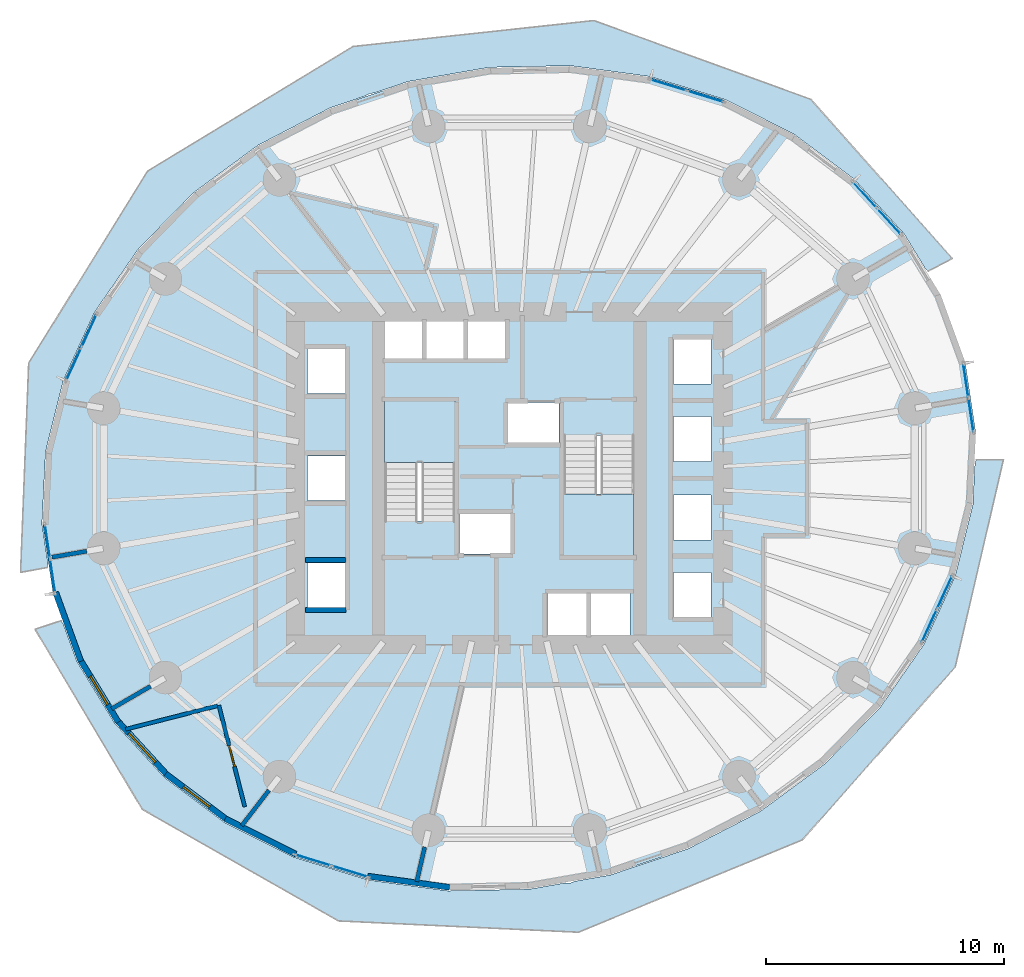
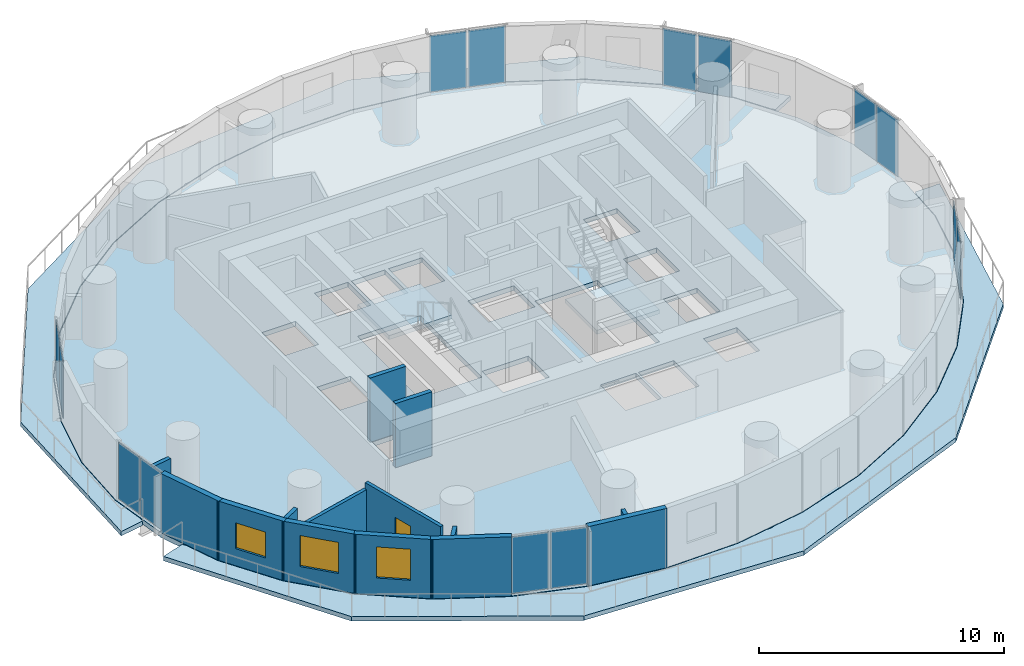
# One storey, part 6 of 13: 14 plates, 14 walls, 5 slabs, 3 windows, 1 door, 4 openings, 9 elements without a shape of their own.
"""IFC4 building model written with IfcOpenShell, lengths in metres."""

from ifc_helpers import new_model, si_unit, direction, frame, frame_2d, origin, origin_2d, place, context, subcontext, project, spatial, polyline, rectangle, outline, extrude, material, layer, layer_set, type_object, element, fill, aggregate, save


model = new_model("IFC4")

# Units and contexts
model_context = context("Model", 3, precision=1e-05, world=origin(), true_north=direction((0.0, 1.0)))
body_context = subcontext(model_context, "Body", "Model", "MODEL_VIEW")
ifc_project = project(units=[si_unit("LENGTHUNIT", "METRE"), si_unit("AREAUNIT", "SQUARE_METRE"), si_unit("VOLUMEUNIT", "CUBIC_METRE"), si_unit("PLANEANGLEUNIT", "RADIAN"), si_unit("MASSUNIT", "GRAM", prefix="KILO")], contexts=[model_context])

# Site, building, storey
site_placement = place(None, origin())
site = spatial("IfcSite", under=ifc_project, at=site_placement, CompositionType="ELEMENT")
building_placement = place(site_placement, origin())
building = spatial("IfcBuilding", under=site, at=building_placement, Name="Veldorim Arch Residences", CompositionType="ELEMENT")
storey_placement = place(building_placement, frame((0.0, 0.0, 60.0)))
storey = spatial("IfcBuildingStorey", under=building, at=storey_placement, Name="L17", CompositionType="ELEMENT", Elevation=60.0)

# Slabs
ifc_material_1 = material(Name="Concrete C40/50", Category="concrete")
ifc_layer_1 = layer(ifc_material_1, 0.219970703125, Name="Planted Crescent Cantilever Balcony Slab 220")
ifc_layer_set_1 = layer_set([ifc_layer_1], Name="Concrete C40/50")
slab_type_1 = type_object("IfcSlabType", Name="Planted Crescent Cantilever Balcony Slab 220", PredefinedType="FLOOR", material=ifc_layer_set_1)
slab_1_placement = place(storey_placement, frame((0.0, 0.0, -0.219970703125)))
element("IfcSlab", 1, at=slab_1_placement, inside=storey, type_object=slab_type_1, Name="L17 planted crescent balcony slab A", PredefinedType="FLOOR", context=body_context, shape_type="SweptSolid", body=[
    extrude(outline(polyline([(49.491455078125, 32.846435546875), (48.60009765625, 34.305419921875), (46.51318359375, 36.58251953125), (43.985107421875, 38.476806640625), (41.09326171875, 39.931396484375), (37.92529296875, 40.90185546875), (34.577392578125, 41.358642578125), (31.151611328125, 41.288330078125), (27.751220703125, 40.69287109375), (26.3125, 40.2080078125), (26.11572265625, 40.184326171875), (25.94580078125, 40.084228515625), (24.47998046875, 39.59033203125), (21.437255859375, 38.01416015625), (18.71533203125, 36.01220703125), (16.396728515625, 33.6455078125), (14.552001953125, 30.985595703125), (13.237548828125, 28.113037109375), (12.4931640625, 25.115234375), (12.341552734375, 22.08349609375), (12.588134765625, 20.4384765625), (12.56982421875, 20.248779296875), (11.438720703125, 20.040771484375), (11.780029296875, 28.84716796875), (16.785888671875, 36.92333984375), (25.424072265625, 42.167236328125), (35.5625, 43.259521484375), (44.68701171875, 39.9453125), (50.64208984375, 33.25146484375), (49.627197265625, 32.710693359375), (49.491455078125, 32.846435546875)])), origin(), (0.0, 0.0, 1.0), 0.219970703125),
])
slab_2_placement = place(storey_placement, frame((0.0, 0.0, -0.219970703125)))
element("IfcSlab", 2, at=slab_2_placement, inside=storey, type_object=slab_type_1, Name="L17 planted crescent balcony slab B", PredefinedType="FLOOR", context=body_context, shape_type="SweptSolid", body=[
    extrude(outline(polyline([(13.24755859375, 17.84765625), (13.8173828125, 16.284912109375), (15.39990234375, 13.694580078125), (17.48681640625, 11.41748046875), (20.014892578125, 9.523193359375), (22.90673828125, 8.068603515625), (26.07470703125, 7.09814453125), (29.422607421875, 6.641357421875), (32.848388671875, 6.711669921875), (34.372314453125, 6.978515625), (34.5693359375, 6.971923828125), (34.7529296875, 7.045166015625), (36.248779296875, 7.30712890625), (39.52001953125, 8.40966796875), (42.562744140625, 9.98583984375), (45.28466796875, 11.98779296875), (47.603271484375, 14.3544921875), (49.447998046875, 17.014404296875), (50.762451171875, 19.886962890625), (51.5068359375, 22.884765625), (51.59228515625, 24.59228515625), (51.646484375, 24.7763671875), (52.79638671875, 24.78662109375), (50.766357421875, 16.060546875), (44.33642578125, 8.787353515625), (34.909423828125, 4.899658203125), (24.815673828125, 5.375732421875), (16.557861328125, 10.075927734375), (12.0478515625, 17.647705078125), (13.140625, 18.005615234375), (13.24755859375, 17.84765625)])), origin(), (0.0, 0.0, 1.0), 0.219970703125),
])

# Stair, slab
ifc_material_2 = material(Name="Concrete C40/50", Category="concrete")
stair_type = type_object("IfcStairType", Name="Reinforced Concrete Dogleg Exit Staircase", PredefinedType="HALF_TURN_STAIR", material=ifc_material_2)
stair_1_placement = place(storey_placement, origin())
stair_1 = element("IfcStair", 3, at=stair_1_placement, inside=storey, type_object=stair_type, Name="L17 Exit Staircase ST-1", PredefinedType="HALF_TURN_STAIR")
ifc_material_3 = material(Name="Concrete C40/50", Category="concrete")
ifc_layer_2 = layer(ifc_material_3, 0.199951171875, Name="Reinforced Concrete Stair Landing 200")
ifc_layer_set_2 = layer_set([ifc_layer_2], Name="Concrete C40/50")
slab_type_2 = type_object("IfcSlabType", Name="Reinforced Concrete Stair Landing 200", PredefinedType="LANDING", material=ifc_layer_set_2)
slab_3_placement = place(storey_placement, frame((0.0, 0.0, 1.39990234375)))
slab_3 = element("IfcSlab", 4, at=slab_3_placement, type_object=slab_type_2, Name="ST-1 landing 1", PredefinedType="LANDING", context=body_context, shape_type="SweptSolid", body=[
    extrude(outline(polyline([(29.7099609375, 24.669921875), (29.7099609375, 27.25), (26.75, 27.25), (26.75, 24.669921875), (29.7099609375, 24.669921875)])), origin(), (0.0, 0.0, 1.0), 0.2001953125),
])
aggregate(stair_1, [slab_3])

stair_2_placement = place(storey_placement, origin())
stair_2 = element("IfcStair", 5, at=stair_2_placement, inside=storey, type_object=stair_type, Name="L17 Exit Staircase ST-2", PredefinedType="HALF_TURN_STAIR")
slab_4_placement = place(storey_placement, frame((0.0, 0.0, 1.39990234375)))
slab_4 = element("IfcSlab", 6, at=slab_4_placement, type_object=slab_type_2, Name="ST-2 landing 1", PredefinedType="LANDING", context=body_context, shape_type="SweptSolid", body=[
    extrude(outline(polyline([(34.2900390625, 23.330078125), (34.2900390625, 20.75), (37.25, 20.75), (37.25, 23.330078125), (34.2900390625, 23.330078125)])), origin(), (0.0, 0.0, 1.0), 0.2001953125),
])
aggregate(stair_2, [slab_4])

# Slab
ifc_material_4 = material(Name="Concrete C40/50", Category="concrete")
ifc_layer_3 = layer(ifc_material_4, 0.239990234375, Name="Typical Residential Floor Slab 240")
ifc_layer_set_3 = layer_set([ifc_layer_3], Name="Concrete C40/50")
slab_type_3 = type_object("IfcSlabType", Name="Typical Residential Floor Slab 240", PredefinedType="FLOOR", material=ifc_layer_set_3)
slab_5_placement = place(storey_placement, frame((0.0, 0.0, -0.239990234375)))
element("IfcSlab", 7, at=slab_5_placement, inside=storey, type_object=slab_type_3, Name="L17 tower structural floor slab", PredefinedType="FLOOR", context=body_context, shape_type="SweptSolid", body=[
    extrude(outline(polyline([(51.188232421875, 28.8837890625), (50.159912109375, 31.7041015625), (48.580078125, 34.290283203125), (46.49609375, 36.563720703125), (43.971923828125, 38.45556640625), (41.083984375, 39.908203125), (37.919921875, 40.877197265625), (34.575927734375, 41.333740234375), (31.15380859375, 41.263427734375), (27.75732421875, 40.668701171875), (24.489990234375, 39.567138671875), (21.450439453125, 37.992919921875), (18.731689453125, 35.993408203125), (16.416015625, 33.629638671875), (14.573974609375, 30.97314453125), (13.26123046875, 28.104736328125), (12.517822265625, 25.111572265625), (12.36669921875, 22.084716796875), (12.811767578125, 19.1162109375), (13.840087890625, 16.2958984375), (15.419921875, 13.709716796875), (17.50390625, 11.436279296875), (20.028076171875, 9.54443359375), (22.916015625, 8.091796875), (26.080078125, 7.122802734375), (29.424072265625, 6.666259765625), (32.84619140625, 6.736572265625), (36.24267578125, 7.331298828125), (39.510009765625, 8.432861328125), (42.549560546875, 10.007080078125), (45.268310546875, 12.006591796875), (47.583984375, 14.370361328125), (49.426025390625, 17.02685546875), (50.73876953125, 19.895263671875), (51.482177734375, 22.888427734375), (51.63330078125, 25.915283203125), (51.188232421875, 28.8837890625)]), holes=[polyline([(23.510009765625, 20.43994140625), (25.090087890625, 20.43994140625), (25.090087890625, 18.56005859375), (23.510009765625, 18.56005859375), (23.510009765625, 20.43994140625)]), polyline([(29.909912109375, 22.544921875), (32.090087890625, 22.544921875), (32.090087890625, 20.81494140625), (29.909912109375, 20.81494140625), (29.909912109375, 22.544921875)]), polyline([(23.510009765625, 24.93994140625), (25.090087890625, 24.93994140625), (25.090087890625, 23.06005859375), (23.510009765625, 23.06005859375), (23.510009765625, 24.93994140625)]), polyline([(26.75, 27.25), (29.7099609375, 27.25), (29.7099609375, 22.195068359375), (26.75, 22.195068359375), (26.75, 27.25)]), polyline([(23.510009765625, 29.43994140625), (25.090087890625, 29.43994140625), (25.090087890625, 27.56005859375), (23.510009765625, 27.56005859375), (23.510009765625, 29.43994140625)]), polyline([(26.760009765625, 30.7900390625), (28.340087890625, 30.7900390625), (28.340087890625, 28.909912109375), (26.760009765625, 28.909912109375), (26.760009765625, 30.7900390625)]), polyline([(28.510009765625, 30.7900390625), (30.090087890625, 30.7900390625), (30.090087890625, 28.909912109375), (28.510009765625, 28.909912109375), (28.510009765625, 30.7900390625)]), polyline([(30.260009765625, 30.7900390625), (31.840087890625, 30.7900390625), (31.840087890625, 28.909912109375), (30.260009765625, 28.909912109375), (30.260009765625, 30.7900390625)]), polyline([(33.610107421875, 19.2900390625), (35.2900390625, 19.2900390625), (35.2900390625, 17.2099609375), (33.610107421875, 17.2099609375), (33.610107421875, 19.2900390625)]), polyline([(35.409912109375, 19.2900390625), (37.090087890625, 19.2900390625), (37.090087890625, 17.2099609375), (35.409912109375, 17.2099609375), (35.409912109375, 19.2900390625)]), polyline([(38.909912109375, 20.0400390625), (40.489990234375, 20.0400390625), (40.489990234375, 18.159912109375), (38.909912109375, 18.159912109375), (38.909912109375, 20.0400390625)]), polyline([(38.909912109375, 23.2900390625), (40.489990234375, 23.2900390625), (40.489990234375, 21.409912109375), (38.909912109375, 21.409912109375), (38.909912109375, 23.2900390625)]), polyline([(34.2900390625, 25.804931640625), (37.25, 25.804931640625), (37.25, 20.75), (34.2900390625, 20.75), (34.2900390625, 25.804931640625)]), polyline([(38.909912109375, 26.590087890625), (40.489990234375, 26.590087890625), (40.489990234375, 24.7099609375), (38.909912109375, 24.7099609375), (38.909912109375, 26.590087890625)]), polyline([(31.909912109375, 27.18505859375), (34.090087890625, 27.18505859375), (34.090087890625, 25.455078125), (31.909912109375, 25.455078125), (31.909912109375, 27.18505859375)]), polyline([(38.909912109375, 29.840087890625), (40.489990234375, 29.840087890625), (40.489990234375, 27.9599609375), (38.909912109375, 27.9599609375), (38.909912109375, 29.840087890625)])]), origin(), (0.0, 0.0, 1.0), 0.239990234375),
])

# Curtain wall, plates
ifc_material_5 = material(Name="Aluminium", Category="aluminium")
curtain_wall_type = type_object("IfcCurtainWallType", Name="Zone 1 Acoustic Low-E Unitised Curtain Wall", PredefinedType="NOTDEFINED", material=ifc_material_5)
curtain_wall_1_placement = place(storey_placement, origin())
curtain_wall_1 = element("IfcCurtainWall", 8, at=curtain_wall_1_placement, inside=storey, type_object=curtain_wall_type, Name="L17 unitised curtain wall bay 03", PredefinedType="NOTDEFINED")
ifc_material_6 = material(Name="Laminated Low-E Glass", Category="glass")
ifc_layer_4 = layer(ifc_material_6, 0.02587890625, Name="Zone 1 Acoustic Low-E Unitised Curtain Wall Glazing Panel 26")
ifc_layer_set_4 = layer_set([ifc_layer_4], Name="Laminated Low-E Glass")
plate_type = type_object("IfcPlateType", Name="Zone 1 Acoustic Low-E Unitised Curtain Wall Glazing Panel 26", PredefinedType="CURTAIN_PANEL", material=ifc_layer_set_4)
plate_1_placement = place(storey_placement, frame((46.9619140625, 35.922607421875, 0.06494140625), z_axis=(0.0, 0.0, 1.0), x_axis=(0.675682046012, -0.737193171901, 0.0)))
plate_1 = element("IfcPlate", 9, at=plate_1_placement, type_object=plate_type, Name="CW-Z1 panel 1.1", PredefinedType="CURTAIN_PANEL", context=body_context, shape_type="SweptSolid", body=[
    extrude(rectangle(XDim=1.444580078125, YDim=0.02587890625, at=origin_2d()), origin(), (0.0, 0.0, 1.0), 2.830078125),
])
plate_2_placement = place(storey_placement, frame((47.981689453125, 34.809814453125, 0.06494140625), z_axis=(0.0, 0.0, 1.0), x_axis=(0.675682046012, -0.737193171901, 0.0)))
plate_2 = element("IfcPlate", 10, at=plate_2_placement, type_object=plate_type, Name="CW-Z1 panel 2.1", PredefinedType="CURTAIN_PANEL", context=body_context, shape_type="SweptSolid", body=[
    extrude(rectangle(XDim=1.444580078125, YDim=0.02587890625, at=origin_2d()), origin(), (0.0, 0.0, 1.0), 2.830078125),
])
aggregate(curtain_wall_1, [plate_1, plate_2])

curtain_wall_2_placement = place(storey_placement, origin())
curtain_wall_2 = element("IfcCurtainWall", 11, at=curtain_wall_2_placement, inside=storey, type_object=curtain_wall_type, Name="L17 unitised curtain wall bay 06", PredefinedType="NOTDEFINED")
plate_3_placement = place(storey_placement, frame((38.699951171875, 40.544189453125, 0.06494140625), z_axis=(0.0, 0.0, 1.0), x_axis=(0.956157827802, -0.292851853901, 0.0)))
plate_3 = element("IfcPlate", 12, at=plate_3_placement, type_object=plate_type, Name="CW-Z1 panel 1.1", PredefinedType="CURTAIN_PANEL", context=body_context, shape_type="SweptSolid", body=[
    extrude(rectangle(XDim=1.55712890625, YDim=0.02587890625, at=origin_2d()), origin(), (0.0, 0.0, 1.0), 2.830078125),
])
plate_4_placement = place(storey_placement, frame((40.2509765625, 40.069091796875, 0.06494140625), z_axis=(0.0, 0.0, 1.0), x_axis=(0.956157827802, -0.292851853901, 0.0)))
plate_4 = element("IfcPlate", 13, at=plate_4_placement, type_object=plate_type, Name="CW-Z1 panel 2.1", PredefinedType="CURTAIN_PANEL", context=body_context, shape_type="SweptSolid", body=[
    extrude(rectangle(XDim=1.55712890625, YDim=0.02587890625, at=origin_2d()), origin(), (0.0, 0.0, 1.0), 2.830078125),
])
aggregate(curtain_wall_2, [plate_3, plate_4])

curtain_wall_3_placement = place(storey_placement, origin())
curtain_wall_3 = element("IfcCurtainWall", 14, at=curtain_wall_3_placement, inside=storey, type_object=curtain_wall_type, Name="L17 unitised curtain wall bay 15", PredefinedType="NOTDEFINED")
plate_5_placement = place(storey_placement, frame((13.677978515625, 28.799072265625, 0.06494140625), z_axis=(0.0, 0.0, 1.0), x_axis=(0.416135060272, 0.909302816235, 0.0)))
plate_5 = element("IfcPlate", 15, at=plate_5_placement, type_object=plate_type, Name="CW-Z1 panel 1.1", PredefinedType="CURTAIN_PANEL", context=body_context, shape_type="SweptSolid", body=[
    extrude(rectangle(XDim=1.479736328125, YDim=0.02587890625, at=origin_2d()), origin(), (0.0, 0.0, 1.0), 2.830078125),
])
plate_6_placement = place(storey_placement, frame((14.32080078125, 30.20361328125, 0.06494140625), z_axis=(0.0, 0.0, 1.0), x_axis=(0.416135060272, 0.909302816235, 0.0)))
plate_6 = element("IfcPlate", 16, at=plate_6_placement, type_object=plate_type, Name="CW-Z1 panel 2.1", PredefinedType="CURTAIN_PANEL", context=body_context, shape_type="SweptSolid", body=[
    extrude(rectangle(XDim=1.479736328125, YDim=0.02587890625, at=origin_2d()), origin(), (0.0, 0.0, 1.0), 2.830078125),
])
aggregate(curtain_wall_3, [plate_5, plate_6])

curtain_wall_4_placement = place(storey_placement, origin())
curtain_wall_4 = element("IfcCurtainWall", 17, at=curtain_wall_4_placement, inside=storey, type_object=curtain_wall_type, Name="L17 unitised curtain wall bay 18", PredefinedType="NOTDEFINED")
plate_7_placement = place(storey_placement, frame((12.787109375, 19.8876953125, 0.06494140625), z_axis=(0.0, 0.0, 1.0), x_axis=(-0.148306244637, 0.988941483507, 0.0)))
plate_7 = element("IfcPlate", 18, at=plate_7_placement, type_object=plate_type, Name="CW-Z1 panel 1.1", PredefinedType="CURTAIN_PANEL", context=body_context, shape_type="SweptSolid", body=[
    extrude(rectangle(XDim=1.403564453125, YDim=0.02587890625, at=origin_2d()), origin(), (0.0, 0.0, 1.0), 2.830078125),
])
plate_8_placement = place(storey_placement, frame((12.5693359375, 21.33984375, 0.06494140625), z_axis=(0.0, 0.0, 1.0), x_axis=(-0.148306244637, 0.988941483507, 0.0)))
plate_8 = element("IfcPlate", 19, at=plate_8_placement, type_object=plate_type, Name="CW-Z1 panel 2.1", PredefinedType="CURTAIN_PANEL", context=body_context, shape_type="SweptSolid", body=[
    extrude(rectangle(XDim=1.403564453125, YDim=0.02587890625, at=origin_2d()), origin(), (0.0, 0.0, 1.0), 2.830078125),
])
aggregate(curtain_wall_4, [plate_7, plate_8])

curtain_wall_5_placement = place(storey_placement, origin())
curtain_wall_5 = element("IfcCurtainWall", 20, at=curtain_wall_5_placement, inside=storey, type_object=curtain_wall_type, Name="L17 unitised curtain wall bay 24", PredefinedType="NOTDEFINED")
plate_9_placement = place(storey_placement, frame((25.300048828125, 7.455810546875, 0.06494140625), z_axis=(0.0, 0.0, 1.0), x_axis=(-0.956157827802, 0.292851853901, 0.0)))
plate_9 = element("IfcPlate", 21, at=plate_9_placement, type_object=plate_type, Name="CW-Z1 panel 1.1", PredefinedType="CURTAIN_PANEL", context=body_context, shape_type="SweptSolid", body=[
    extrude(rectangle(XDim=1.55712890625, YDim=0.02587890625, at=origin_2d()), origin(), (0.0, 0.0, 1.0), 2.830078125),
])
plate_10_placement = place(storey_placement, frame((23.7490234375, 7.930908203125, 0.06494140625), z_axis=(0.0, 0.0, 1.0), x_axis=(-0.956157827802, 0.292851853901, 0.0)))
plate_10 = element("IfcPlate", 22, at=plate_10_placement, type_object=plate_type, Name="CW-Z1 panel 2.1", PredefinedType="CURTAIN_PANEL", context=body_context, shape_type="SweptSolid", body=[
    extrude(rectangle(XDim=1.55712890625, YDim=0.02587890625, at=origin_2d()), origin(), (0.0, 0.0, 1.0), 2.830078125),
])
aggregate(curtain_wall_5, [plate_9, plate_10])

curtain_wall_6_placement = place(storey_placement, origin())
curtain_wall_6 = element("IfcCurtainWall", 23, at=curtain_wall_6_placement, inside=storey, type_object=curtain_wall_type, Name="L17 unitised curtain wall bay 33", PredefinedType="NOTDEFINED")
plate_11_placement = place(storey_placement, frame((50.322021484375, 19.200927734375, 0.06494140625), z_axis=(0.0, 0.0, 1.0), x_axis=(-0.416135060272, -0.909302816235, 0.0)))
plate_11 = element("IfcPlate", 24, at=plate_11_placement, type_object=plate_type, Name="CW-Z1 panel 1.1", PredefinedType="CURTAIN_PANEL", context=body_context, shape_type="SweptSolid", body=[
    extrude(rectangle(XDim=1.479736328125, YDim=0.02587890625, at=origin_2d()), origin(), (0.0, 0.0, 1.0), 2.830078125),
])
plate_12_placement = place(storey_placement, frame((49.67919921875, 17.79638671875, 0.06494140625), z_axis=(0.0, 0.0, 1.0), x_axis=(-0.416135060272, -0.909302816235, 0.0)))
plate_12 = element("IfcPlate", 25, at=plate_12_placement, type_object=plate_type, Name="CW-Z1 panel 2.1", PredefinedType="CURTAIN_PANEL", context=body_context, shape_type="SweptSolid", body=[
    extrude(rectangle(XDim=1.479736328125, YDim=0.02587890625, at=origin_2d()), origin(), (0.0, 0.0, 1.0), 2.830078125),
])
aggregate(curtain_wall_6, [plate_11, plate_12])

curtain_wall_7_placement = place(storey_placement, origin())
curtain_wall_7 = element("IfcCurtainWall", 26, at=curtain_wall_7_placement, inside=storey, type_object=curtain_wall_type, Name="L17 unitised curtain wall bay 36", PredefinedType="NOTDEFINED")
plate_13_placement = place(storey_placement, frame((51.212890625, 28.1123046875, 0.06494140625), z_axis=(0.0, 0.0, 1.0), x_axis=(0.148306244637, -0.988941483507, 0.0)))
plate_13 = element("IfcPlate", 27, at=plate_13_placement, type_object=plate_type, Name="CW-Z1 panel 1.1", PredefinedType="CURTAIN_PANEL", context=body_context, shape_type="SweptSolid", body=[
    extrude(rectangle(XDim=1.403564453125, YDim=0.02587890625, at=origin_2d()), origin(), (0.0, 0.0, 1.0), 2.830078125),
])
plate_14_placement = place(storey_placement, frame((51.4306640625, 26.66015625, 0.06494140625), z_axis=(0.0, 0.0, 1.0), x_axis=(0.148306244637, -0.988941483507, 0.0)))
plate_14 = element("IfcPlate", 28, at=plate_14_placement, type_object=plate_type, Name="CW-Z1 panel 2.1", PredefinedType="CURTAIN_PANEL", context=body_context, shape_type="SweptSolid", body=[
    extrude(rectangle(XDim=1.403564453125, YDim=0.02587890625, at=origin_2d()), origin(), (0.0, 0.0, 1.0), 2.830078125),
])
aggregate(curtain_wall_7, [plate_13, plate_14])

# Walls
ifc_material_7 = material(Name="Lightweight Masonry Block & Gypsum", Category="masonry")
ifc_layer_5 = layer(ifc_material_7, 0.179931640625, Name="Compartment & Corridor Fire-Rated Party Wall 180")
ifc_layer_set_5 = layer_set([ifc_layer_5], Name="Lightweight Masonry Block & Gypsum")
wall_type_1 = type_object("IfcWallType", Name="Compartment & Corridor Fire-Rated Party Wall 180", PredefinedType="PARTITIONING", material=ifc_layer_set_5)
wall_1_placement = place(storey_placement, frame((14.224853515625, 20.931640625, 0.0), z_axis=(0.0, 0.0, 1.0), x_axis=(-0.985427868046, -0.170093847267, 0.0)))
element("IfcWall", 29, at=wall_1_placement, inside=storey, type_object=wall_type_1, Name="L17 interior wall WL-PIER-L17-09", PredefinedType="PARTITIONING", context=body_context, shape_type="SweptSolid", body=[
    extrude(rectangle(XDim=1.487060546875, YDim=0.179931640625, at=frame_2d((0.74365234375, 0.0))), origin(), (0.0, 0.0, 1.0), 2.17822265625),
])
wall_2_placement = place(storey_placement, frame((16.909423828125, 15.249755859375, 0.0), z_axis=(0.0, 0.0, 1.0), x_axis=(-0.865028951922, -0.501721947234, 0.0)))
element("IfcWall", 30, at=wall_2_placement, inside=storey, type_object=wall_type_1, Name="L17 interior wall WL-PIER-L17-10", PredefinedType="PARTITIONING", context=body_context, shape_type="SweptSolid", body=[
    extrude(rectangle(XDim=1.894287109375, YDim=0.179931640625, at=frame_2d((0.947265625, 0.0))), origin(), (0.0, 0.0, 1.0), 2.17822265625),
])
wall_3_placement = place(storey_placement, frame((21.893798828125, 10.874267578125, 0.0), z_axis=(0.0, 0.0, 1.0), x_axis=(-0.610131095296, -0.792300477441, 0.0)))
element("IfcWall", 31, at=wall_3_placement, inside=storey, type_object=wall_type_1, Name="L17 interior wall WL-PIER-L17-11", PredefinedType="PARTITIONING", context=body_context, shape_type="SweptSolid", body=[
    extrude(rectangle(XDim=1.88037109375, YDim=0.179931640625, at=frame_2d((0.940185546875, 0.0))), origin(), (0.0, 0.0, 1.0), 2.17822265625),
])
wall_4_placement = place(storey_placement, frame((28.444580078125, 8.48828125, 0.0), z_axis=(0.0, 0.0, 1.0), x_axis=(-0.223479327284, -0.974708669438, 0.0)))
element("IfcWall", 32, at=wall_4_placement, inside=storey, type_object=wall_type_1, Name="L17 interior wall WL-PIER-L17-12", PredefinedType="PARTITIONING", context=body_context, shape_type="SweptSolid", body=[
    extrude(rectangle(XDim=1.498779296875, YDim=0.179931640625, at=frame_2d((0.74951171875, 0.0))), origin(), (0.0, 0.0, 1.0), 2.17822265625),
])
ifc_material_8 = material(Name="Concrete C50/60", Category="concrete")
ifc_layer_6 = layer(ifc_material_8, 0.199951171875, Name="Core Stair & Lift Shaft Enclosure Wall 200")
ifc_layer_set_6 = layer_set([ifc_layer_6], Name="Concrete C50/60")
wall_type_2 = type_object("IfcWallType", Name="Core Stair & Lift Shaft Enclosure Wall 200", PredefinedType="SHEAR", material=ifc_layer_set_6)
for number, where, z_axis, x_axis, name in (
    (33, (23.419921875, 18.4599609375, 0.0), (0.0, 0.0, 1.0), (1.0, 0.0, 0.0), "L17 shaft wall WL-B2-L17-S"),
    (34, (23.419921875, 20.56005859375, 0.0), (0.0, 0.0, 1.0), (1.0, 0.0, 0.0), "L17 shaft wall WL-B2-L17-D1A"),
):
    element("IfcWall", number, at=place(storey_placement, frame(where, z_axis=z_axis, x_axis=x_axis)), inside=storey, type_object=wall_type_2, Name=name, PredefinedType="SHEAR", context=body_context, shape_type="SweptSolid", body=[
        extrude(rectangle(XDim=1.7099609375, YDim=0.199951171875, at=frame_2d((0.85498046875, 0.0))), origin(), (0.0, 0.0, 1.0), 3.199951171875),
    ])
ifc_material_9 = material(Name="Precast concrete C40/50", Category="concrete")
ifc_layer_7 = layer(ifc_material_9, 0.25, Name="Tower Terracotta Spandrel & Pier Wall 250")
ifc_layer_set_7 = layer_set([ifc_layer_7], Name="Precast concrete C40/50")
wall_type_3 = type_object("IfcWallType", Name="Tower Terracotta Spandrel & Pier Wall 250", PredefinedType="SOLIDWALL", material=ifc_layer_set_7)
wall_5_placement = place(storey_placement, frame((13.972900390625, 16.29638671875, 0.0), z_axis=(0.0, 0.0, 1.0), x_axis=(-0.342541792275, 0.939502592091, 0.0)))
element("IfcWall", 35, at=wall_5_placement, inside=storey, type_object=wall_type_3, Name="L17 terracotta facade wall 19", PredefinedType="SOLIDWALL", context=body_context, shape_type="SweptSolid", body=[
    extrude(rectangle(XDim=3.091796875, YDim=0.25, at=frame_2d((1.5458984375, 0.0))), origin(), (0.0, 0.0, 1.0), 2.9599609375),
])

# Wall, opening, window
wall_6_placement = place(storey_placement, frame((15.550048828125, 13.736572265625, 0.0), z_axis=(0.0, 0.0, 1.0), x_axis=(-0.521370891217, 0.853330178648, 0.0)))
wall_6 = element("IfcWall", 36, at=wall_6_placement, inside=storey, type_object=wall_type_3, Name="L17 terracotta facade wall 20", PredefinedType="SOLIDWALL", context=body_context, shape_type="SweptSolid", body=[
    extrude(rectangle(XDim=3.12060546875, YDim=0.25, at=frame_2d((1.560302734375, 0.0))), origin(), (0.0, 0.0, 1.0), 2.9599609375),
])
opening_1_placement = place(wall_6_placement, frame((0.860107421875, 0.0, 0.85009765625)))
opening_1 = element("IfcOpeningElement", 37, at=opening_1_placement, cuts=wall_6, Name="Opening WN-02", PredefinedType="OPENING", context=body_context, shape_type="SweptSolid", body=[
    extrude(rectangle(XDim=1.39990234375, YDim=1.2900390625, at=frame_2d((0.699951171875, 0.64501953125))), frame((0.0, 0.135009765625, 0.0), z_axis=(0.0, -1.0, 0.0), x_axis=(1.0, 0.0, 0.0)), (0.0, 0.0, 1.0), 0.27001953125),
])
ifc_material_10 = material(Name="Laminated Low-E Glass", Category="glass")
window_type_1 = type_object("IfcWindowType", Name="Residential Casement Window 1400x1550", PartitioningType="SINGLE_PANEL", PredefinedType="WINDOW", material=ifc_material_10)
window_1_placement = place(opening_1_placement, origin())
window_1 = element("IfcWindow", 38, at=window_1_placement, inside=storey, type_object=window_type_1, Name="L17 solar-control facade window 20", OverallHeight=1.2900390625, OverallWidth=1.39990234375, PartitioningType="SINGLE_PANEL", PredefinedType="WINDOW", context=body_context, shape_type="SweptSolid", body=[
    extrude(rectangle(XDim=1.39990234375, YDim=1.2900390625, at=frame_2d((0.699951171875, 0.64501953125))), frame((0.0, 0.030029296875, 0.0), z_axis=(0.0, -1.0, 0.0), x_axis=(1.0, 0.0, 0.0)), (0.0, 0.0, 1.0), 0.06005859375),
])
fill(opening_1, window_1)

wall_7_placement = place(storey_placement, frame((17.62646484375, 11.487548828125, 0.0), z_axis=(0.0, 0.0, 1.0), x_axis=(-0.675710696367, 0.737166911096, 0.0)))
wall_7 = element("IfcWall", 39, at=wall_7_placement, inside=storey, type_object=wall_type_3, Name="L17 terracotta facade wall 21", PredefinedType="SOLIDWALL", context=body_context, shape_type="SweptSolid", body=[
    extrude(rectangle(XDim=3.174072265625, YDim=0.25, at=frame_2d((1.5869140625, 0.0))), origin(), (0.0, 0.0, 1.0), 2.9599609375),
])
opening_2_placement = place(wall_7_placement, frame((0.761962890625, 0.0, 0.85009765625)))
opening_2 = element("IfcOpeningElement", 40, at=opening_2_placement, cuts=wall_7, Name="Opening WN-03", PredefinedType="OPENING", context=body_context, shape_type="SweptSolid", body=[
    extrude(rectangle(XDim=1.64990234375, YDim=1.550048828125, at=frame_2d((0.824951171875, 0.77490234375))), frame((0.0, 0.135009765625, 0.0), z_axis=(0.0, -1.0, 0.0), x_axis=(1.0, 0.0, 0.0)), (0.0, 0.0, 1.0), 0.27001953125),
])
ifc_material_11 = material(Name="Laminated Low-E Glass", Category="glass")
window_type_2 = type_object("IfcWindowType", Name="Residential Wide Window 1650x1550", PartitioningType="SINGLE_PANEL", PredefinedType="WINDOW", material=ifc_material_11)
window_2_placement = place(opening_2_placement, origin())
window_2 = element("IfcWindow", 41, at=window_2_placement, inside=storey, type_object=window_type_2, Name="L17 solar-control facade window 21", OverallHeight=1.550048828125, OverallWidth=1.64990234375, PartitioningType="SINGLE_PANEL", PredefinedType="WINDOW", context=body_context, shape_type="SweptSolid", body=[
    extrude(rectangle(XDim=1.64990234375, YDim=1.550048828125, at=frame_2d((0.824951171875, 0.77490234375))), frame((0.0, 0.030029296875, 0.0), z_axis=(0.0, -1.0, 0.0), x_axis=(1.0, 0.0, 0.0)), (0.0, 0.0, 1.0), 0.06005859375),
])
fill(opening_2, window_2)

wall_8_placement = place(storey_placement, frame((20.138916015625, 9.617431640625, 0.0), z_axis=(0.0, 0.0, 1.0), x_axis=(-0.800198613696, 0.599735090385, 0.0)))
wall_8 = element("IfcWall", 42, at=wall_8_placement, inside=storey, type_object=wall_type_3, Name="L17 terracotta facade wall 22", PredefinedType="SOLIDWALL", context=body_context, shape_type="SweptSolid", body=[
    extrude(rectangle(XDim=3.244384765625, YDim=0.25, at=frame_2d((1.6220703125, 0.0))), origin(), (0.0, 0.0, 1.0), 2.9599609375),
])
opening_3_placement = place(wall_8_placement, frame((0.922119140625, 0.0, 0.85009765625)))
opening_3 = element("IfcOpeningElement", 43, at=opening_3_placement, cuts=wall_8, Name="Opening WN-02", PredefinedType="OPENING", context=body_context, shape_type="SweptSolid", body=[
    extrude(rectangle(XDim=1.39990234375, YDim=1.550048828125, at=frame_2d((0.699951171875, 0.77490234375))), frame((0.0, 0.135009765625, 0.0), z_axis=(0.0, -1.0, 0.0), x_axis=(1.0, 0.0, 0.0)), (0.0, 0.0, 1.0), 0.27001953125),
])
window_3_placement = place(opening_3_placement, origin())
window_3 = element("IfcWindow", 44, at=window_3_placement, inside=storey, type_object=window_type_1, Name="L17 solar-control facade window 22", OverallHeight=1.550048828125, OverallWidth=1.39990234375, PartitioningType="SINGLE_PANEL", PredefinedType="WINDOW", context=body_context, shape_type="SweptSolid", body=[
    extrude(rectangle(XDim=1.39990234375, YDim=1.550048828125, at=frame_2d((0.699951171875, 0.77490234375))), frame((0.0, 0.030029296875, 0.0), z_axis=(0.0, -1.0, 0.0), x_axis=(1.0, 0.0, 0.0)), (0.0, 0.0, 1.0), 0.06005859375),
])
fill(opening_3, window_3)

# Walls
wall_9_placement = place(storey_placement, frame((23.012451171875, 8.18310546875, 0.0), z_axis=(0.0, 0.0, 1.0), x_axis=(-0.893351919744, 0.449357705498, 0.0)))
element("IfcWall", 45, at=wall_9_placement, inside=storey, type_object=wall_type_3, Name="L17 terracotta facade wall 23", PredefinedType="SOLIDWALL", context=body_context, shape_type="SweptSolid", body=[
    extrude(rectangle(XDim=3.322998046875, YDim=0.25, at=frame_2d((1.66162109375, 0.0))), origin(), (0.0, 0.0, 1.0), 2.9599609375),
])
wall_10_placement = place(storey_placement, frame((29.485595703125, 6.7841796875, 0.0), z_axis=(0.0, 0.0, 1.0), x_axis=(-0.99081644242, 0.13521382115, 0.0)))
element("IfcWall", 46, at=wall_10_placement, inside=storey, type_object=wall_type_3, Name="L17 terracotta facade wall 25", PredefinedType="SOLIDWALL", context=body_context, shape_type="SweptSolid", body=[
    extrude(rectangle(XDim=3.46484375, YDim=0.25, at=frame_2d((1.732421875, 0.0))), origin(), (0.0, 0.0, 1.0), 2.9599609375),
])

# Wall, opening, door
ifc_material_12 = material(Name="Moisture-Resistant Gypsum & Stud", Category="gypsum")
ifc_layer_8 = layer(ifc_material_12, 0.159912109375, Name="Wet-Area Moisture-Resistant Plumbing Wall 160")
ifc_layer_set_8 = layer_set([ifc_layer_8], Name="Moisture-Resistant Gypsum & Stud")
wall_type_4 = type_object("IfcWallType", Name="Wet-Area Moisture-Resistant Plumbing Wall 160", PredefinedType="PLUMBINGWALL", material=ifc_layer_set_8)
wall_11_placement = place(storey_placement, frame((20.871826171875, 10.177978515625, 0.0), z_axis=(0.0, 0.0, 1.0), x_axis=(-0.247520702126, 0.96888260487, 0.0)))
wall_11 = element("IfcWall", 47, at=wall_11_placement, inside=storey, type_object=wall_type_4, Name="L17 interior wall WL-RES-L17-015", PredefinedType="PLUMBINGWALL", context=body_context, shape_type="SweptSolid", body=[
    extrude(rectangle(XDim=4.399169921875, YDim=0.159912109375, at=frame_2d((2.19970703125, 0.0))), origin(), (0.0, 0.0, 1.0), 2.955078125),
])
opening_4_placement = place(wall_11_placement, frame((1.74951171875, 0.0, 0.0)))
opening_4 = element("IfcOpeningElement", 48, at=opening_4_placement, cuts=wall_11, Name="Opening DR-WC", PredefinedType="OPENING", context=body_context, shape_type="SweptSolid", body=[
    extrude(rectangle(XDim=0.89990234375, YDim=2.10009765625, at=frame_2d((0.449951171875, 1.050048828125))), frame((0.0, 0.08984375, 0.0), z_axis=(0.0, -1.0, 0.0), x_axis=(1.0, 0.0, 0.0)), (0.0, 0.0, 1.0), 0.179931640625),
])
ifc_material_13 = material(Name="Laminate Timber", Category="wood")
door_type = type_object("IfcDoorType", Name="Bathroom & Accessible WC Moisture-Sealed Door 900x2100", OperationType="SINGLE_SWING_LEFT", PredefinedType="DOOR", material=ifc_material_13)
door_placement = place(opening_4_placement, origin())
door = element("IfcDoor", 49, at=door_placement, inside=storey, type_object=door_type, Name="L17 interior door DR-RES-L17-006", OperationType="SINGLE_SWING_RIGHT", OverallHeight=2.10009765625, OverallWidth=0.89990234375, PredefinedType="DOOR", context=body_context, shape_type="SweptSolid", body=[
    extrude(rectangle(XDim=0.89990234375, YDim=2.10009765625, at=frame_2d((0.449951171875, 1.050048828125))), frame((0.0, 0.02490234375, 0.0), z_axis=(0.0, -1.0, 0.0), x_axis=(1.0, 0.0, 0.0)), (0.0, 0.0, 1.0), 0.050048828125),
])
fill(opening_4, door)

# Wall
wall_12_placement = place(storey_placement, frame((19.724853515625, 14.42529296875, 0.0), z_axis=(0.0, 0.0, 1.0), x_axis=(-0.968902730544, -0.24744190984, 0.0)))
element("IfcWall", 50, at=wall_12_placement, inside=storey, type_object=wall_type_4, Name="L17 interior wall WL-RES-L17-016", PredefinedType="PLUMBINGWALL", context=body_context, shape_type="SweptSolid", body=[
    extrude(rectangle(XDim=3.989990234375, YDim=0.159912109375, at=frame_2d((1.9951171875, 0.0))), origin(), (0.0, 0.0, 1.0), 2.641357421875),
])

save(model, "model.ifc")
